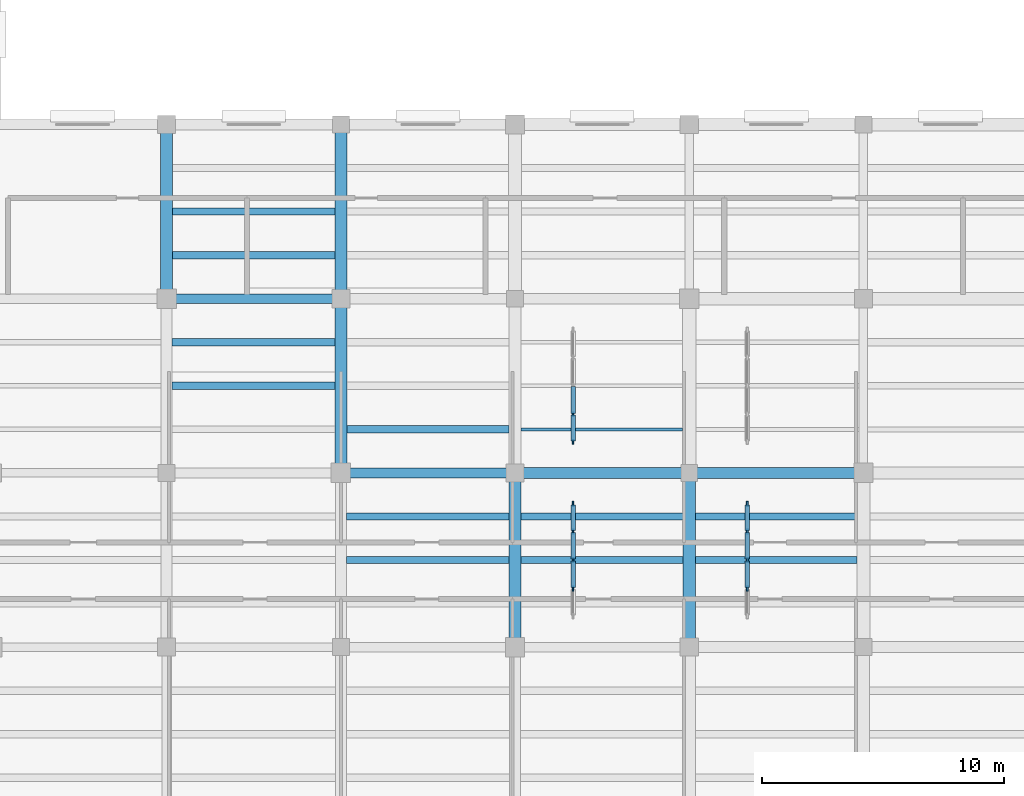
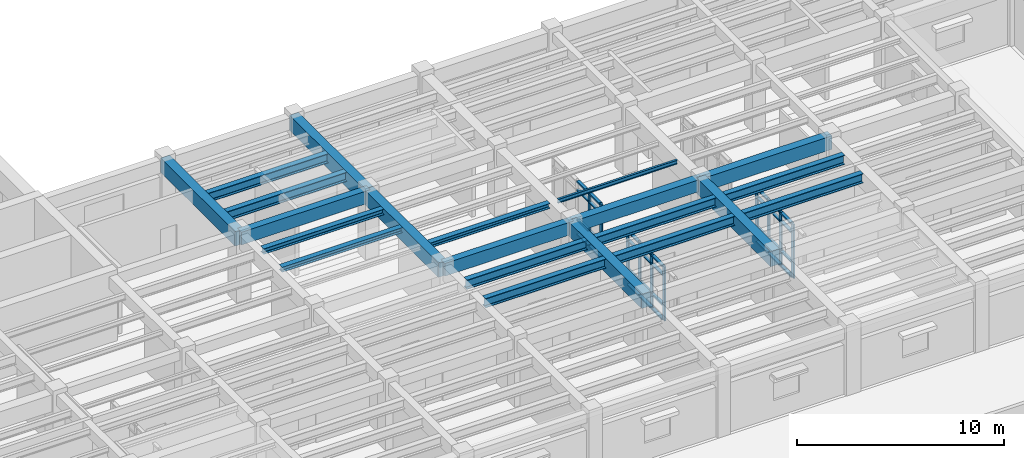
# One storey, part 10 of 76: 42 members, 21 beams, 3 elements without a shape of their own.
"""IFC4 building model written with IfcOpenShell, lengths in metres."""

from ifc_helpers import new_model, si_unit, direction, frame, origin, origin_2d, place, context, subcontext, project, spatial, rectangle, i_section, extrude, material, material_profile, profile_set, type_object, element, aggregate, save


model = new_model("IFC4")

# Units and contexts
model_context = context("Model", 3, precision=1e-05, world=origin(), true_north=direction((0.0, 1.0)))
body_context = subcontext(model_context, "Body", "Model", "MODEL_VIEW")
ifc_project = project(units=[si_unit("LENGTHUNIT", "METRE"), si_unit("AREAUNIT", "SQUARE_METRE"), si_unit("VOLUMEUNIT", "CUBIC_METRE"), si_unit("PLANEANGLEUNIT", "RADIAN"), si_unit("MASSUNIT", "GRAM", prefix="KILO")], contexts=[model_context])

# Site, building, storey
site_placement = place(None, origin())
site = spatial("IfcSite", under=ifc_project, at=site_placement, CompositionType="ELEMENT")
building_placement = place(site_placement, origin())
building = spatial("IfcBuilding", under=site, at=building_placement, Name="Mithqara Police Headquarters", CompositionType="ELEMENT")
storey_placement = place(building_placement, frame((0.0, 0.0, 5.39990234375)))
storey = spatial("IfcBuildingStorey", under=building, at=storey_placement, Name="L01", CompositionType="ELEMENT", Elevation=5.39990234375)

# Beams
ifc_material_1 = material(Name="Steel S355JR", Category="steel")
ifc_material_profile_1 = material_profile(ifc_material_1, i_section(OverallWidth=0.300048828125, OverallDepth=0.300048828125, WebThickness=0.010986328125, FlangeThickness=0.01904296875, FilletRadius=0.027099609375, at=origin_2d()), Name="HEB 300")
ifc_profile_set_1 = profile_set([ifc_material_profile_1], Name="Steel S355JR")
beam_type_1 = type_object("IfcBeamType", Name="BEAM HEB300", PredefinedType="BEAM", material=ifc_profile_set_1)
beam_1_placement = place(storey_placement, frame((108.85009765625, 22.800048828125, 3.77001953125), z_axis=(1.0, 0.0, 0.0), x_axis=(0.0, 1.0, 0.0)))
element("IfcBeam", 1, at=beam_1_placement, inside=storey, type_object=beam_type_1, Name="L01 Composite Steel Joist 16-17/D.1", PredefinedType="BEAM", context=body_context, shape_type="SweptSolid", body=[
    extrude(i_section(OverallWidth=0.300048828125, OverallDepth=0.300048828125, WebThickness=0.010986328125, FlangeThickness=0.01904296875, FilletRadius=0.027099609375, at=origin_2d()), origin(), (0.0, 0.0, 1.0), 6.699951171875),
])
ifc_material_profile_2 = material_profile(ifc_material_1, i_section(OverallWidth=0.300048828125, OverallDepth=0.550048828125, WebThickness=0.014892578125, FlangeThickness=0.029052734375, FilletRadius=0.027099609375, at=origin_2d()), Name="HEB 550")
ifc_profile_set_2 = profile_set([ifc_material_profile_2], Name="Steel S355JR")
beam_type_2 = type_object("IfcBeamType", Name="BEAM HEB550", PredefinedType="BEAM", material=ifc_profile_set_2)
for number, where, z_axis, x_axis, name in (
    (2, (101.64990234375, 30.0, 3.64501953125), (1.0, 0.0, 0.0), (0.0, 1.0, 0.0), "L01 Composite Steel Joist 15-16/E.1"),
    (3, (101.64990234375, 31.800048828125, 3.64501953125), (1.0, 0.0, 0.0), (0.0, 1.0, 0.0), "L01 Composite Steel Joist 15-16/E.2"),
):
    element("IfcBeam", number, at=place(storey_placement, frame(where, z_axis=z_axis, x_axis=x_axis)), inside=storey, type_object=beam_type_2, Name=name, PredefinedType="BEAM", context=body_context, shape_type="SweptSolid", body=[
        extrude(i_section(OverallWidth=0.300048828125, OverallDepth=0.550048828125, WebThickness=0.014892578125, FlangeThickness=0.029052734375, FilletRadius=0.027099609375, at=origin_2d()), origin(), (0.0, 0.0, 1.0), 6.7001953125),
    ])
for number, where, z_axis, x_axis, name in (
    (4, (108.824951171875, 17.39990234375, 3.64501953125), (1.0, 0.0, 0.0), (0.0, 1.0, 0.0), "L01 Composite Steel Joist 16-17/C.2"),
    (5, (108.824951171875, 19.199951171875, 3.64501953125), (1.0, 0.0, 0.0), (0.0, 1.0, 0.0), "L01 Composite Steel Joist 16-17/C.3"),
):
    element("IfcBeam", number, at=place(storey_placement, frame(where, z_axis=z_axis, x_axis=x_axis)), inside=storey, type_object=beam_type_2, Name=name, PredefinedType="BEAM", context=body_context, shape_type="SweptSolid", body=[
        extrude(i_section(OverallWidth=0.300048828125, OverallDepth=0.550048828125, WebThickness=0.014892578125, FlangeThickness=0.029052734375, FilletRadius=0.027099609375, at=origin_2d()), origin(), (0.0, 0.0, 1.0), 6.72509765625),
    ])
for number, where, z_axis, x_axis, name in (
    (6, (116.050048828125, 17.39990234375, 3.64501953125), (1.0, 0.0, 0.0), (0.0, 1.0, 0.0), "L01 Composite Steel Joist 17-18/C.2"),
    (7, (116.050048828125, 19.199951171875, 3.64501953125), (1.0, 0.0, 0.0), (0.0, 1.0, 0.0), "L01 Composite Steel Joist 17-18/C.3"),
):
    element("IfcBeam", number, at=place(storey_placement, frame(where, z_axis=z_axis, x_axis=x_axis)), inside=storey, type_object=beam_type_2, Name=name, PredefinedType="BEAM", context=body_context, shape_type="SweptSolid", body=[
        extrude(i_section(OverallWidth=0.300048828125, OverallDepth=0.550048828125, WebThickness=0.014892578125, FlangeThickness=0.029052734375, FilletRadius=0.027099609375, at=origin_2d()), origin(), (0.0, 0.0, 1.0), 6.699951171875),
    ])
for number, where, z_axis, x_axis, name in (
    (8, (123.25, 17.39990234375, 3.64501953125), (1.0, 0.0, 0.0), (0.0, 1.0, 0.0), "L01 Composite Steel Joist 18-19/C.2"),
    (9, (123.25, 19.199951171875, 3.64501953125), (1.0, 0.0, 0.0), (0.0, 1.0, 0.0), "L01 Composite Steel Joist 18-19/C.3"),
):
    element("IfcBeam", number, at=place(storey_placement, frame(where, z_axis=z_axis, x_axis=x_axis)), inside=storey, type_object=beam_type_2, Name=name, PredefinedType="BEAM", context=body_context, shape_type="SweptSolid", body=[
        extrude(i_section(OverallWidth=0.300048828125, OverallDepth=0.550048828125, WebThickness=0.014892578125, FlangeThickness=0.029052734375, FilletRadius=0.027099609375, at=origin_2d()), origin(), (0.0, 0.0, 1.0), 6.675048828125),
    ])
ifc_material_2 = material(Name="Concrete C40/50", Category="concrete")
ifc_material_profile_3 = material_profile(ifc_material_2, rectangle(XDim=0.39990234375, YDim=0.75, at=origin_2d()), Name="RC 400x750")
ifc_profile_set_3 = profile_set([ifc_material_profile_3], Name="Concrete C40/50")
beam_type_3 = type_object("IfcBeamType", Name="BEAM RC400X750", PredefinedType="BEAM", material=ifc_profile_set_3)
beam_2_placement = place(storey_placement, frame((101.39990234375, 28.199951171875, 3.545166015625), z_axis=(1.0, 0.0, 0.0), x_axis=(0.0, 1.0, 0.0)))
element("IfcBeam", 10, at=beam_2_placement, inside=storey, type_object=beam_type_3, Name="L01 Girder 15-16/E", PredefinedType="BEAM", context=body_context, shape_type="SweptSolid", body=[
    extrude(rectangle(XDim=0.39990234375, YDim=0.75, at=origin_2d()), origin(), (0.0, 0.0, 1.0), 7.2001953125),
])
beam_3_placement = place(storey_placement, frame((108.60009765625, 21.0, 3.545166015625), z_axis=(1.0, 0.0, 0.0), x_axis=(0.0, 1.0, 0.0)))
element("IfcBeam", 11, at=beam_3_placement, inside=storey, type_object=beam_type_3, Name="L01 Girder 16-17/D", PredefinedType="BEAM", context=body_context, shape_type="SweptSolid", body=[
    extrude(rectangle(XDim=0.39990234375, YDim=0.75, at=origin_2d()), origin(), (0.0, 0.0, 1.0), 7.199951171875),
])
ifc_material_profile_4 = material_profile(ifc_material_2, rectangle(XDim=0.449951171875, YDim=0.699951171875, at=origin_2d()), Name="RC 450x700")
ifc_profile_set_4 = profile_set([ifc_material_profile_4], Name="Concrete C40/50")
beam_type_4 = type_object("IfcBeamType", Name="BEAM RC450X700", PredefinedType="BEAM", material=ifc_profile_set_4)
beam_4_placement = place(storey_placement, frame((115.800048828125, 21.0, 3.570068359375), z_axis=(1.0, 0.0, 0.0), x_axis=(0.0, 1.0, 0.0)))
element("IfcBeam", 12, at=beam_4_placement, inside=storey, type_object=beam_type_4, Name="L01 Girder 17-18/D", PredefinedType="BEAM", context=body_context, shape_type="SweptSolid", body=[
    extrude(rectangle(XDim=0.449951171875, YDim=0.699951171875, at=origin_2d()), origin(), (0.0, 0.0, 1.0), 7.199951171875),
])
ifc_material_profile_5 = material_profile(ifc_material_2, rectangle(XDim=0.449951171875, YDim=0.800048828125, at=origin_2d()), Name="RC 450x800")
ifc_profile_set_5 = profile_set([ifc_material_profile_5], Name="Concrete C40/50")
beam_type_5 = type_object("IfcBeamType", Name="BEAM RC450X800", PredefinedType="BEAM", material=ifc_profile_set_5)
beam_5_placement = place(storey_placement, frame((123.0, 21.0, 3.52001953125), z_axis=(1.0, 0.0, 0.0), x_axis=(0.0, 1.0, 0.0)))
element("IfcBeam", 13, at=beam_5_placement, inside=storey, type_object=beam_type_5, Name="L01 Girder 18-19/D", PredefinedType="BEAM", context=body_context, shape_type="SweptSolid", body=[
    extrude(rectangle(XDim=0.449951171875, YDim=0.800048828125, at=origin_2d()), origin(), (0.0, 0.0, 1.0), 7.199951171875),
])
ifc_material_profile_6 = material_profile(ifc_material_2, rectangle(XDim=0.5, YDim=0.85009765625, at=origin_2d()), Name="RC 500x850")
ifc_profile_set_6 = profile_set([ifc_material_profile_6], Name="Concrete C40/50")
beam_type_6 = type_object("IfcBeamType", Name="BEAM RC500X850", PredefinedType="BEAM", material=ifc_profile_set_6)
for number, where, z_axis, x_axis, name in (
    (14, (101.39990234375, 28.199951171875, 3.4951171875), (0.0, 1.0, 0.0), (-1.0, 0.0, 0.0), "L01 Girder 15/E-F"),
    (15, (108.60009765625, 21.0, 3.4951171875), (0.0, 1.0, 0.0), (-1.0, 0.0, 0.0), "L01 Girder 16/D-E"),
    (16, (115.800048828125, 13.800048828125, 3.4951171875), (0.0, 1.0, 0.0), (-1.0, 0.0, 0.0), "L01 Girder 17/C-D"),
):
    element("IfcBeam", number, at=place(storey_placement, frame(where, z_axis=z_axis, x_axis=x_axis)), inside=storey, type_object=beam_type_6, Name=name, PredefinedType="BEAM", context=body_context, shape_type="SweptSolid", body=[
        extrude(rectangle(XDim=0.5, YDim=0.85009765625, at=origin_2d()), origin(), (0.0, 0.0, 1.0), 7.199951171875),
    ])
ifc_material_3 = material(Name="Concrete C50/60", Category="concrete")
ifc_material_profile_7 = material_profile(ifc_material_3, rectangle(XDim=0.5, YDim=0.89990234375, at=origin_2d()), Name="RC 500x900")
ifc_profile_set_7 = profile_set([ifc_material_profile_7], Name="Concrete C50/60")
beam_type_7 = type_object("IfcBeamType", Name="BEAM RC500X900", PredefinedType="BEAM", material=ifc_profile_set_7)
for number, where, z_axis, x_axis, name in (
    (17, (108.60009765625, 28.199951171875, 3.47021484375), (0.0, 1.0, 0.0), (-1.0, 0.0, 0.0), "L01 Girder 16/E-F"),
    (18, (123.0, 13.800048828125, 3.47021484375), (0.0, 1.0, 0.0), (-1.0, 0.0, 0.0), "L01 Girder 18/C-D"),
):
    element("IfcBeam", number, at=place(storey_placement, frame(where, z_axis=z_axis, x_axis=x_axis)), inside=storey, type_object=beam_type_7, Name=name, PredefinedType="BEAM", context=body_context, shape_type="SweptSolid", body=[
        extrude(rectangle(XDim=0.5, YDim=0.89990234375, at=origin_2d()), origin(), (0.0, 0.0, 1.0), 7.199951171875),
    ])

# Curtain wall, members
ifc_material_4 = material(Name="Bronze anodised aluminium 6063-T6", Category="aluminium")
curtain_wall_type = type_object("IfcCurtainWallType", Name="CURTAIN WALL 4700X3200", PredefinedType="USERDEFINED", material=ifc_material_4)
curtain_wall_1_placement = place(storey_placement, origin())
curtain_wall_1 = element("IfcCurtainWall", 19, at=curtain_wall_1_placement, inside=storey, type_object=curtain_wall_type, Name="L01 Unitised Glazing CW-15 (CW-INT-L01-X16-Y02-0)", ObjectType="UNITISED GLAZING", PredefinedType="USERDEFINED")
ifc_material_profile_8 = material_profile(ifc_material_4, rectangle(XDim=0.074951171875, YDim=0.219970703125, at=origin_2d()), Name="CWM 75x220")
ifc_profile_set_8 = profile_set([ifc_material_profile_8], Name="Bronze anodised aluminium 6063-T6")
member_type_1 = type_object("IfcMemberType", Name="CWMULLION 75X220", PredefinedType="MULLION", material=ifc_profile_set_8)
member_1_placement = place(storey_placement, frame((118.199951171875, 16.22509765625, 0.0), z_axis=(0.0, 0.0, 1.0), x_axis=(-1.0, 0.0, 0.0)))
member_1 = element("IfcMember", 20, at=member_1_placement, type_object=member_type_1, Name="CW-15 mullion 2", PredefinedType="MULLION", context=body_context, shape_type="SweptSolid", body=[
    extrude(rectangle(XDim=0.074951171875, YDim=0.219970703125, at=origin_2d()), origin(), (0.0, 0.0, 1.0), 3.2001953125),
])
member_2_placement = place(storey_placement, frame((118.199951171875, 17.39990234375, 0.0), z_axis=(0.0, 0.0, 1.0), x_axis=(-1.0, 0.0, 0.0)))
member_2 = element("IfcMember", 21, at=member_2_placement, type_object=member_type_1, Name="CW-15 mullion 3", PredefinedType="MULLION", context=body_context, shape_type="SweptSolid", body=[
    extrude(rectangle(XDim=0.074951171875, YDim=0.219970703125, at=origin_2d()), origin(), (0.0, 0.0, 1.0), 3.2001953125),
])
member_3_placement = place(storey_placement, frame((118.199951171875, 18.574951171875, 0.0), z_axis=(0.0, 0.0, 1.0), x_axis=(-1.0, 0.0, 0.0)))
member_3 = element("IfcMember", 22, at=member_3_placement, type_object=member_type_1, Name="CW-15 mullion 4", PredefinedType="MULLION", context=body_context, shape_type="SweptSolid", body=[
    extrude(rectangle(XDim=0.074951171875, YDim=0.219970703125, at=origin_2d()), origin(), (0.0, 0.0, 1.0), 3.2001953125),
])
member_4_placement = place(storey_placement, frame((118.199951171875, 19.71240234375, 0.0), z_axis=(0.0, 0.0, 1.0), x_axis=(-1.0, 0.0, 0.0)))
member_4 = element("IfcMember", 23, at=member_4_placement, type_object=member_type_1, Name="CW-15 mullion 5", PredefinedType="MULLION", context=body_context, shape_type="SweptSolid", body=[
    extrude(rectangle(XDim=0.074951171875, YDim=0.219970703125, at=origin_2d()), origin(), (0.0, 0.0, 1.0), 3.2001953125),
])

curtain_wall_2_placement = place(storey_placement, origin())
curtain_wall_2 = element("IfcCurtainWall", 24, at=curtain_wall_2_placement, inside=storey, type_object=curtain_wall_type, Name="L01 Unitised Glazing CW-15 (CW-INT-L01-X16-Y03-0)", ObjectType="UNITISED GLAZING", PredefinedType="USERDEFINED")
member_5_placement = place(storey_placement, frame((118.199951171875, 22.28759765625, 0.0), z_axis=(0.0, 0.0, 1.0), x_axis=(-1.0, 0.0, 0.0)))
member_5 = element("IfcMember", 25, at=member_5_placement, type_object=member_type_1, Name="CW-15 mullion 1", PredefinedType="MULLION", context=body_context, shape_type="SweptSolid", body=[
    extrude(rectangle(XDim=0.074951171875, YDim=0.219970703125, at=origin_2d()), origin(), (0.0, 0.0, 1.0), 3.2001953125),
])
member_6_placement = place(storey_placement, frame((118.199951171875, 23.425048828125, 0.0), z_axis=(0.0, 0.0, 1.0), x_axis=(-1.0, 0.0, 0.0)))
member_6 = element("IfcMember", 26, at=member_6_placement, type_object=member_type_1, Name="CW-15 mullion 2", PredefinedType="MULLION", context=body_context, shape_type="SweptSolid", body=[
    extrude(rectangle(XDim=0.074951171875, YDim=0.219970703125, at=origin_2d()), origin(), (0.0, 0.0, 1.0), 3.2001953125),
])

curtain_wall_3_placement = place(storey_placement, origin())
curtain_wall_3 = element("IfcCurtainWall", 27, at=curtain_wall_3_placement, inside=storey, type_object=curtain_wall_type, Name="L01 Unitised Glazing CW-15 (CW-INT-L01-X17-Y02-0)", ObjectType="UNITISED GLAZING", PredefinedType="USERDEFINED")
member_7_placement = place(storey_placement, frame((125.39990234375, 16.22509765625, 0.0), z_axis=(0.0, 0.0, 1.0), x_axis=(-1.0, 0.0, 0.0)))
member_7 = element("IfcMember", 28, at=member_7_placement, type_object=member_type_1, Name="CW-15 mullion 2", PredefinedType="MULLION", context=body_context, shape_type="SweptSolid", body=[
    extrude(rectangle(XDim=0.074951171875, YDim=0.219970703125, at=origin_2d()), origin(), (0.0, 0.0, 1.0), 3.2001953125),
])
member_8_placement = place(storey_placement, frame((125.39990234375, 17.39990234375, 0.0), z_axis=(0.0, 0.0, 1.0), x_axis=(-1.0, 0.0, 0.0)))
member_8 = element("IfcMember", 29, at=member_8_placement, type_object=member_type_1, Name="CW-15 mullion 3", PredefinedType="MULLION", context=body_context, shape_type="SweptSolid", body=[
    extrude(rectangle(XDim=0.074951171875, YDim=0.219970703125, at=origin_2d()), origin(), (0.0, 0.0, 1.0), 3.2001953125),
])
member_9_placement = place(storey_placement, frame((125.39990234375, 18.574951171875, 0.0), z_axis=(0.0, 0.0, 1.0), x_axis=(-1.0, 0.0, 0.0)))
member_9 = element("IfcMember", 30, at=member_9_placement, type_object=member_type_1, Name="CW-15 mullion 4", PredefinedType="MULLION", context=body_context, shape_type="SweptSolid", body=[
    extrude(rectangle(XDim=0.074951171875, YDim=0.219970703125, at=origin_2d()), origin(), (0.0, 0.0, 1.0), 3.2001953125),
])
member_10_placement = place(storey_placement, frame((125.39990234375, 19.71240234375, 0.0), z_axis=(0.0, 0.0, 1.0), x_axis=(-1.0, 0.0, 0.0)))
member_10 = element("IfcMember", 31, at=member_10_placement, type_object=member_type_1, Name="CW-15 mullion 5", PredefinedType="MULLION", context=body_context, shape_type="SweptSolid", body=[
    extrude(rectangle(XDim=0.074951171875, YDim=0.219970703125, at=origin_2d()), origin(), (0.0, 0.0, 1.0), 3.2001953125),
])

# Member
ifc_material_profile_9 = material_profile(ifc_material_4, rectangle(XDim=0.179931640625, YDim=0.074951171875, at=origin_2d()), Name="CWT 180x75")
ifc_profile_set_9 = profile_set([ifc_material_profile_9], Name="Bronze anodised aluminium 6063-T6")
member_type_2 = type_object("IfcMemberType", Name="CWTRANSOM 180X75", PredefinedType="USERDEFINED", material=ifc_profile_set_9)
member_11_placement = place(storey_placement, frame((118.199951171875, 16.262451171875, 0.03759765625), z_axis=(0.0, 1.0, 0.0), x_axis=(-1.0, 0.0, 0.0)))
member_11 = element("IfcMember", 32, at=member_11_placement, type_object=member_type_2, Name="CW-15 transom 2.1", ObjectType="TRANSOM", PredefinedType="USERDEFINED", context=body_context, shape_type="SweptSolid", body=[
    extrude(rectangle(XDim=0.179931640625, YDim=0.074951171875, at=origin_2d()), origin(), (0.0, 0.0, 1.0), 1.10009765625),
])

member_12_placement = place(storey_placement, frame((118.199951171875, 16.262451171875, 0.900146484375), z_axis=(0.0, 1.0, 0.0), x_axis=(-1.0, 0.0, 0.0)))
member_12 = element("IfcMember", 33, at=member_12_placement, type_object=member_type_2, Name="CW-15 transom 2.2", ObjectType="TRANSOM", PredefinedType="USERDEFINED", context=body_context, shape_type="SweptSolid", body=[
    extrude(rectangle(XDim=0.179931640625, YDim=0.074951171875, at=origin_2d()), origin(), (0.0, 0.0, 1.0), 1.10009765625),
])

member_13_placement = place(storey_placement, frame((118.199951171875, 16.262451171875, 2.650146484375), z_axis=(0.0, 1.0, 0.0), x_axis=(-1.0, 0.0, 0.0)))
member_13 = element("IfcMember", 34, at=member_13_placement, type_object=member_type_2, Name="CW-15 transom 2.3", ObjectType="TRANSOM", PredefinedType="USERDEFINED", context=body_context, shape_type="SweptSolid", body=[
    extrude(rectangle(XDim=0.179931640625, YDim=0.074951171875, at=origin_2d()), origin(), (0.0, 0.0, 1.0), 1.10009765625),
])

member_14_placement = place(storey_placement, frame((118.199951171875, 16.262451171875, 3.16259765625), z_axis=(0.0, 1.0, 0.0), x_axis=(-1.0, 0.0, 0.0)))
member_14 = element("IfcMember", 35, at=member_14_placement, type_object=member_type_2, Name="CW-15 transom 2.4", ObjectType="TRANSOM", PredefinedType="USERDEFINED", context=body_context, shape_type="SweptSolid", body=[
    extrude(rectangle(XDim=0.179931640625, YDim=0.074951171875, at=origin_2d()), origin(), (0.0, 0.0, 1.0), 1.10009765625),
])

member_15_placement = place(storey_placement, frame((118.199951171875, 17.4375, 0.03759765625), z_axis=(0.0, 1.0, 0.0), x_axis=(-1.0, 0.0, 0.0)))
member_15 = element("IfcMember", 36, at=member_15_placement, type_object=member_type_2, Name="CW-15 transom 3.1", ObjectType="TRANSOM", PredefinedType="USERDEFINED", context=body_context, shape_type="SweptSolid", body=[
    extrude(rectangle(XDim=0.179931640625, YDim=0.074951171875, at=origin_2d()), origin(), (0.0, 0.0, 1.0), 1.10009765625),
])

member_16_placement = place(storey_placement, frame((118.199951171875, 17.4375, 0.900146484375), z_axis=(0.0, 1.0, 0.0), x_axis=(-1.0, 0.0, 0.0)))
member_16 = element("IfcMember", 37, at=member_16_placement, type_object=member_type_2, Name="CW-15 transom 3.2", ObjectType="TRANSOM", PredefinedType="USERDEFINED", context=body_context, shape_type="SweptSolid", body=[
    extrude(rectangle(XDim=0.179931640625, YDim=0.074951171875, at=origin_2d()), origin(), (0.0, 0.0, 1.0), 1.10009765625),
])

member_17_placement = place(storey_placement, frame((118.199951171875, 17.4375, 2.650146484375), z_axis=(0.0, 1.0, 0.0), x_axis=(-1.0, 0.0, 0.0)))
member_17 = element("IfcMember", 38, at=member_17_placement, type_object=member_type_2, Name="CW-15 transom 3.3", ObjectType="TRANSOM", PredefinedType="USERDEFINED", context=body_context, shape_type="SweptSolid", body=[
    extrude(rectangle(XDim=0.179931640625, YDim=0.074951171875, at=origin_2d()), origin(), (0.0, 0.0, 1.0), 1.10009765625),
])

member_18_placement = place(storey_placement, frame((118.199951171875, 17.4375, 3.16259765625), z_axis=(0.0, 1.0, 0.0), x_axis=(-1.0, 0.0, 0.0)))
member_18 = element("IfcMember", 39, at=member_18_placement, type_object=member_type_2, Name="CW-15 transom 3.4", ObjectType="TRANSOM", PredefinedType="USERDEFINED", context=body_context, shape_type="SweptSolid", body=[
    extrude(rectangle(XDim=0.179931640625, YDim=0.074951171875, at=origin_2d()), origin(), (0.0, 0.0, 1.0), 1.10009765625),
])

member_19_placement = place(storey_placement, frame((118.199951171875, 18.612548828125, 0.03759765625), z_axis=(0.0, 1.0, 0.0), x_axis=(-1.0, 0.0, 0.0)))
member_19 = element("IfcMember", 40, at=member_19_placement, type_object=member_type_2, Name="CW-15 transom 4.1", ObjectType="TRANSOM", PredefinedType="USERDEFINED", context=body_context, shape_type="SweptSolid", body=[
    extrude(rectangle(XDim=0.179931640625, YDim=0.074951171875, at=origin_2d()), origin(), (0.0, 0.0, 1.0), 1.0625),
])

member_20_placement = place(storey_placement, frame((118.199951171875, 18.612548828125, 0.900146484375), z_axis=(0.0, 1.0, 0.0), x_axis=(-1.0, 0.0, 0.0)))
member_20 = element("IfcMember", 41, at=member_20_placement, type_object=member_type_2, Name="CW-15 transom 4.2", ObjectType="TRANSOM", PredefinedType="USERDEFINED", context=body_context, shape_type="SweptSolid", body=[
    extrude(rectangle(XDim=0.179931640625, YDim=0.074951171875, at=origin_2d()), origin(), (0.0, 0.0, 1.0), 1.0625),
])

member_21_placement = place(storey_placement, frame((118.199951171875, 18.612548828125, 2.650146484375), z_axis=(0.0, 1.0, 0.0), x_axis=(-1.0, 0.0, 0.0)))
member_21 = element("IfcMember", 42, at=member_21_placement, type_object=member_type_2, Name="CW-15 transom 4.3", ObjectType="TRANSOM", PredefinedType="USERDEFINED", context=body_context, shape_type="SweptSolid", body=[
    extrude(rectangle(XDim=0.179931640625, YDim=0.074951171875, at=origin_2d()), origin(), (0.0, 0.0, 1.0), 1.0625),
])

member_22_placement = place(storey_placement, frame((118.199951171875, 18.612548828125, 3.16259765625), z_axis=(0.0, 1.0, 0.0), x_axis=(-1.0, 0.0, 0.0)))
member_22 = element("IfcMember", 43, at=member_22_placement, type_object=member_type_2, Name="CW-15 transom 4.4", ObjectType="TRANSOM", PredefinedType="USERDEFINED", context=body_context, shape_type="SweptSolid", body=[
    extrude(rectangle(XDim=0.179931640625, YDim=0.074951171875, at=origin_2d()), origin(), (0.0, 0.0, 1.0), 1.0625),
])

aggregate(curtain_wall_1, [member_1, member_2, member_3, member_4, member_11, member_12, member_13, member_14, member_15, member_16, member_17, member_18, member_19, member_20, member_21, member_22])

member_23_placement = place(storey_placement, frame((118.199951171875, 22.324951171875, 0.03759765625), z_axis=(0.0, 1.0, 0.0), x_axis=(-1.0, 0.0, 0.0)))
member_23 = element("IfcMember", 44, at=member_23_placement, type_object=member_type_2, Name="CW-15 transom 1.1", ObjectType="TRANSOM", PredefinedType="USERDEFINED", context=body_context, shape_type="SweptSolid", body=[
    extrude(rectangle(XDim=0.179931640625, YDim=0.074951171875, at=origin_2d()), origin(), (0.0, 0.0, 1.0), 1.0625),
])

member_24_placement = place(storey_placement, frame((118.199951171875, 22.324951171875, 0.900146484375), z_axis=(0.0, 1.0, 0.0), x_axis=(-1.0, 0.0, 0.0)))
member_24 = element("IfcMember", 45, at=member_24_placement, type_object=member_type_2, Name="CW-15 transom 1.2", ObjectType="TRANSOM", PredefinedType="USERDEFINED", context=body_context, shape_type="SweptSolid", body=[
    extrude(rectangle(XDim=0.179931640625, YDim=0.074951171875, at=origin_2d()), origin(), (0.0, 0.0, 1.0), 1.0625),
])

member_25_placement = place(storey_placement, frame((118.199951171875, 22.324951171875, 2.650146484375), z_axis=(0.0, 1.0, 0.0), x_axis=(-1.0, 0.0, 0.0)))
member_25 = element("IfcMember", 46, at=member_25_placement, type_object=member_type_2, Name="CW-15 transom 1.3", ObjectType="TRANSOM", PredefinedType="USERDEFINED", context=body_context, shape_type="SweptSolid", body=[
    extrude(rectangle(XDim=0.179931640625, YDim=0.074951171875, at=origin_2d()), origin(), (0.0, 0.0, 1.0), 1.0625),
])

member_26_placement = place(storey_placement, frame((118.199951171875, 22.324951171875, 3.16259765625), z_axis=(0.0, 1.0, 0.0), x_axis=(-1.0, 0.0, 0.0)))
member_26 = element("IfcMember", 47, at=member_26_placement, type_object=member_type_2, Name="CW-15 transom 1.4", ObjectType="TRANSOM", PredefinedType="USERDEFINED", context=body_context, shape_type="SweptSolid", body=[
    extrude(rectangle(XDim=0.179931640625, YDim=0.074951171875, at=origin_2d()), origin(), (0.0, 0.0, 1.0), 1.0625),
])

member_27_placement = place(storey_placement, frame((118.199951171875, 23.46240234375, 0.03759765625), z_axis=(0.0, 1.0, 0.0), x_axis=(-1.0, 0.0, 0.0)))
member_27 = element("IfcMember", 48, at=member_27_placement, type_object=member_type_2, Name="CW-15 transom 2.1", ObjectType="TRANSOM", PredefinedType="USERDEFINED", context=body_context, shape_type="SweptSolid", body=[
    extrude(rectangle(XDim=0.179931640625, YDim=0.074951171875, at=origin_2d()), origin(), (0.0, 0.0, 1.0), 1.10009765625),
])

member_28_placement = place(storey_placement, frame((118.199951171875, 23.46240234375, 0.900146484375), z_axis=(0.0, 1.0, 0.0), x_axis=(-1.0, 0.0, 0.0)))
member_28 = element("IfcMember", 49, at=member_28_placement, type_object=member_type_2, Name="CW-15 transom 2.2", ObjectType="TRANSOM", PredefinedType="USERDEFINED", context=body_context, shape_type="SweptSolid", body=[
    extrude(rectangle(XDim=0.179931640625, YDim=0.074951171875, at=origin_2d()), origin(), (0.0, 0.0, 1.0), 1.10009765625),
])

member_29_placement = place(storey_placement, frame((118.199951171875, 23.46240234375, 2.650146484375), z_axis=(0.0, 1.0, 0.0), x_axis=(-1.0, 0.0, 0.0)))
member_29 = element("IfcMember", 50, at=member_29_placement, type_object=member_type_2, Name="CW-15 transom 2.3", ObjectType="TRANSOM", PredefinedType="USERDEFINED", context=body_context, shape_type="SweptSolid", body=[
    extrude(rectangle(XDim=0.179931640625, YDim=0.074951171875, at=origin_2d()), origin(), (0.0, 0.0, 1.0), 1.10009765625),
])

member_30_placement = place(storey_placement, frame((118.199951171875, 23.46240234375, 3.16259765625), z_axis=(0.0, 1.0, 0.0), x_axis=(-1.0, 0.0, 0.0)))
member_30 = element("IfcMember", 51, at=member_30_placement, type_object=member_type_2, Name="CW-15 transom 2.4", ObjectType="TRANSOM", PredefinedType="USERDEFINED", context=body_context, shape_type="SweptSolid", body=[
    extrude(rectangle(XDim=0.179931640625, YDim=0.074951171875, at=origin_2d()), origin(), (0.0, 0.0, 1.0), 1.10009765625),
])

aggregate(curtain_wall_2, [member_5, member_6, member_23, member_24, member_25, member_26, member_27, member_28, member_29, member_30])

member_31_placement = place(storey_placement, frame((125.39990234375, 16.262451171875, 0.03759765625), z_axis=(0.0, 1.0, 0.0), x_axis=(-1.0, 0.0, 0.0)))
member_31 = element("IfcMember", 52, at=member_31_placement, type_object=member_type_2, Name="CW-15 transom 2.1", ObjectType="TRANSOM", PredefinedType="USERDEFINED", context=body_context, shape_type="SweptSolid", body=[
    extrude(rectangle(XDim=0.179931640625, YDim=0.074951171875, at=origin_2d()), origin(), (0.0, 0.0, 1.0), 1.10009765625),
])

member_32_placement = place(storey_placement, frame((125.39990234375, 16.262451171875, 0.900146484375), z_axis=(0.0, 1.0, 0.0), x_axis=(-1.0, 0.0, 0.0)))
member_32 = element("IfcMember", 53, at=member_32_placement, type_object=member_type_2, Name="CW-15 transom 2.2", ObjectType="TRANSOM", PredefinedType="USERDEFINED", context=body_context, shape_type="SweptSolid", body=[
    extrude(rectangle(XDim=0.179931640625, YDim=0.074951171875, at=origin_2d()), origin(), (0.0, 0.0, 1.0), 1.10009765625),
])

member_33_placement = place(storey_placement, frame((125.39990234375, 16.262451171875, 2.650146484375), z_axis=(0.0, 1.0, 0.0), x_axis=(-1.0, 0.0, 0.0)))
member_33 = element("IfcMember", 54, at=member_33_placement, type_object=member_type_2, Name="CW-15 transom 2.3", ObjectType="TRANSOM", PredefinedType="USERDEFINED", context=body_context, shape_type="SweptSolid", body=[
    extrude(rectangle(XDim=0.179931640625, YDim=0.074951171875, at=origin_2d()), origin(), (0.0, 0.0, 1.0), 1.10009765625),
])

member_34_placement = place(storey_placement, frame((125.39990234375, 16.262451171875, 3.16259765625), z_axis=(0.0, 1.0, 0.0), x_axis=(-1.0, 0.0, 0.0)))
member_34 = element("IfcMember", 55, at=member_34_placement, type_object=member_type_2, Name="CW-15 transom 2.4", ObjectType="TRANSOM", PredefinedType="USERDEFINED", context=body_context, shape_type="SweptSolid", body=[
    extrude(rectangle(XDim=0.179931640625, YDim=0.074951171875, at=origin_2d()), origin(), (0.0, 0.0, 1.0), 1.10009765625),
])

member_35_placement = place(storey_placement, frame((125.39990234375, 17.4375, 0.03759765625), z_axis=(0.0, 1.0, 0.0), x_axis=(-1.0, 0.0, 0.0)))
member_35 = element("IfcMember", 56, at=member_35_placement, type_object=member_type_2, Name="CW-15 transom 3.1", ObjectType="TRANSOM", PredefinedType="USERDEFINED", context=body_context, shape_type="SweptSolid", body=[
    extrude(rectangle(XDim=0.179931640625, YDim=0.074951171875, at=origin_2d()), origin(), (0.0, 0.0, 1.0), 1.10009765625),
])

member_36_placement = place(storey_placement, frame((125.39990234375, 17.4375, 0.900146484375), z_axis=(0.0, 1.0, 0.0), x_axis=(-1.0, 0.0, 0.0)))
member_36 = element("IfcMember", 57, at=member_36_placement, type_object=member_type_2, Name="CW-15 transom 3.2", ObjectType="TRANSOM", PredefinedType="USERDEFINED", context=body_context, shape_type="SweptSolid", body=[
    extrude(rectangle(XDim=0.179931640625, YDim=0.074951171875, at=origin_2d()), origin(), (0.0, 0.0, 1.0), 1.10009765625),
])

member_37_placement = place(storey_placement, frame((125.39990234375, 17.4375, 2.650146484375), z_axis=(0.0, 1.0, 0.0), x_axis=(-1.0, 0.0, 0.0)))
member_37 = element("IfcMember", 58, at=member_37_placement, type_object=member_type_2, Name="CW-15 transom 3.3", ObjectType="TRANSOM", PredefinedType="USERDEFINED", context=body_context, shape_type="SweptSolid", body=[
    extrude(rectangle(XDim=0.179931640625, YDim=0.074951171875, at=origin_2d()), origin(), (0.0, 0.0, 1.0), 1.10009765625),
])

member_38_placement = place(storey_placement, frame((125.39990234375, 17.4375, 3.16259765625), z_axis=(0.0, 1.0, 0.0), x_axis=(-1.0, 0.0, 0.0)))
member_38 = element("IfcMember", 59, at=member_38_placement, type_object=member_type_2, Name="CW-15 transom 3.4", ObjectType="TRANSOM", PredefinedType="USERDEFINED", context=body_context, shape_type="SweptSolid", body=[
    extrude(rectangle(XDim=0.179931640625, YDim=0.074951171875, at=origin_2d()), origin(), (0.0, 0.0, 1.0), 1.10009765625),
])

member_39_placement = place(storey_placement, frame((125.39990234375, 18.612548828125, 0.03759765625), z_axis=(0.0, 1.0, 0.0), x_axis=(-1.0, 0.0, 0.0)))
member_39 = element("IfcMember", 60, at=member_39_placement, type_object=member_type_2, Name="CW-15 transom 4.1", ObjectType="TRANSOM", PredefinedType="USERDEFINED", context=body_context, shape_type="SweptSolid", body=[
    extrude(rectangle(XDim=0.179931640625, YDim=0.074951171875, at=origin_2d()), origin(), (0.0, 0.0, 1.0), 1.0625),
])

member_40_placement = place(storey_placement, frame((125.39990234375, 18.612548828125, 0.900146484375), z_axis=(0.0, 1.0, 0.0), x_axis=(-1.0, 0.0, 0.0)))
member_40 = element("IfcMember", 61, at=member_40_placement, type_object=member_type_2, Name="CW-15 transom 4.2", ObjectType="TRANSOM", PredefinedType="USERDEFINED", context=body_context, shape_type="SweptSolid", body=[
    extrude(rectangle(XDim=0.179931640625, YDim=0.074951171875, at=origin_2d()), origin(), (0.0, 0.0, 1.0), 1.0625),
])

member_41_placement = place(storey_placement, frame((125.39990234375, 18.612548828125, 2.650146484375), z_axis=(0.0, 1.0, 0.0), x_axis=(-1.0, 0.0, 0.0)))
member_41 = element("IfcMember", 62, at=member_41_placement, type_object=member_type_2, Name="CW-15 transom 4.3", ObjectType="TRANSOM", PredefinedType="USERDEFINED", context=body_context, shape_type="SweptSolid", body=[
    extrude(rectangle(XDim=0.179931640625, YDim=0.074951171875, at=origin_2d()), origin(), (0.0, 0.0, 1.0), 1.0625),
])

member_42_placement = place(storey_placement, frame((125.39990234375, 18.612548828125, 3.16259765625), z_axis=(0.0, 1.0, 0.0), x_axis=(-1.0, 0.0, 0.0)))
member_42 = element("IfcMember", 63, at=member_42_placement, type_object=member_type_2, Name="CW-15 transom 4.4", ObjectType="TRANSOM", PredefinedType="USERDEFINED", context=body_context, shape_type="SweptSolid", body=[
    extrude(rectangle(XDim=0.179931640625, YDim=0.074951171875, at=origin_2d()), origin(), (0.0, 0.0, 1.0), 1.0625),
])

aggregate(curtain_wall_3, [member_7, member_8, member_9, member_10, member_31, member_32, member_33, member_34, member_35, member_36, member_37, member_38, member_39, member_40, member_41, member_42])

# Beams
ifc_material_profile_10 = material_profile(ifc_material_1, i_section(OverallWidth=0.300048828125, OverallDepth=0.2900390625, WebThickness=0.008544921875, FlangeThickness=0.013916015625, FilletRadius=0.027099609375, at=origin_2d()), Name="HEA 300")
ifc_profile_set_10 = profile_set([ifc_material_profile_10], Name="Steel S355JR")
beam_type_8 = type_object("IfcBeamType", Name="JOIST HEA300", PredefinedType="JOIST", material=ifc_profile_set_10)
beam_6_placement = place(storey_placement, frame((101.625, 24.60009765625, 3.775146484375), z_axis=(1.0, 0.0, 0.0), x_axis=(0.0, 1.0, 0.0)))
element("IfcBeam", 64, at=beam_6_placement, inside=storey, type_object=beam_type_8, Name="L01 Composite Steel Joist 15-16/D.2", PredefinedType="JOIST", context=body_context, shape_type="SweptSolid", body=[
    extrude(i_section(OverallWidth=0.300048828125, OverallDepth=0.2900390625, WebThickness=0.008544921875, FlangeThickness=0.013916015625, FilletRadius=0.027099609375, at=origin_2d()), origin(), (0.0, 0.0, 1.0), 6.72509765625),
])
ifc_material_profile_11 = material_profile(ifc_material_1, i_section(OverallWidth=0.300048828125, OverallDepth=0.330078125, WebThickness=0.009521484375, FlangeThickness=0.0166015625, FilletRadius=0.027099609375, at=origin_2d()), Name="HEA 340")
ifc_profile_set_11 = profile_set([ifc_material_profile_11], Name="Steel S355JR")
beam_type_9 = type_object("IfcBeamType", Name="JOIST HEA340", PredefinedType="JOIST", material=ifc_profile_set_11)
beam_7_placement = place(storey_placement, frame((101.625, 26.39990234375, 3.755126953125), z_axis=(1.0, 0.0, 0.0), x_axis=(0.0, 1.0, 0.0)))
element("IfcBeam", 65, at=beam_7_placement, inside=storey, type_object=beam_type_9, Name="L01 Composite Steel Joist 15-16/D.3", PredefinedType="JOIST", context=body_context, shape_type="SweptSolid", body=[
    extrude(i_section(OverallWidth=0.300048828125, OverallDepth=0.330078125, WebThickness=0.009521484375, FlangeThickness=0.0166015625, FilletRadius=0.027099609375, at=origin_2d()), origin(), (0.0, 0.0, 1.0), 6.72509765625),
])
ifc_material_profile_12 = material_profile(ifc_material_1, i_section(OverallWidth=0.1201171875, OverallDepth=0.239990234375, WebThickness=0.006103515625, FlangeThickness=0.009765625, FilletRadius=0.014892578125, at=origin_2d()), Name="IPE 240")
ifc_profile_set_12 = profile_set([ifc_material_profile_12], Name="Steel S355JR")
beam_type_10 = type_object("IfcBeamType", Name="JOIST IPE240", PredefinedType="JOIST", material=ifc_profile_set_12)
beam_8_placement = place(storey_placement, frame((116.050048828125, 22.800048828125, 3.800048828125), z_axis=(1.0, 0.0, 0.0), x_axis=(0.0, 1.0, 0.0)))
element("IfcBeam", 66, at=beam_8_placement, inside=storey, type_object=beam_type_10, Name="L01 Composite Steel Joist 17-18/D.1", PredefinedType="JOIST", context=body_context, shape_type="SweptSolid", body=[
    extrude(i_section(OverallWidth=0.1201171875, OverallDepth=0.239990234375, WebThickness=0.006103515625, FlangeThickness=0.009765625, FilletRadius=0.014892578125, at=origin_2d()), origin(), (0.0, 0.0, 1.0), 6.675048828125),
])

save(model, "model.ifc")
